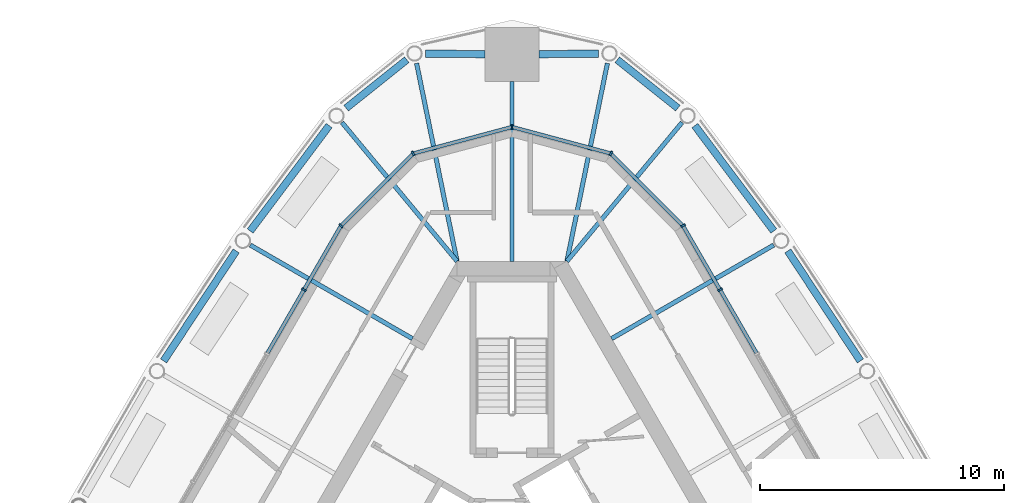
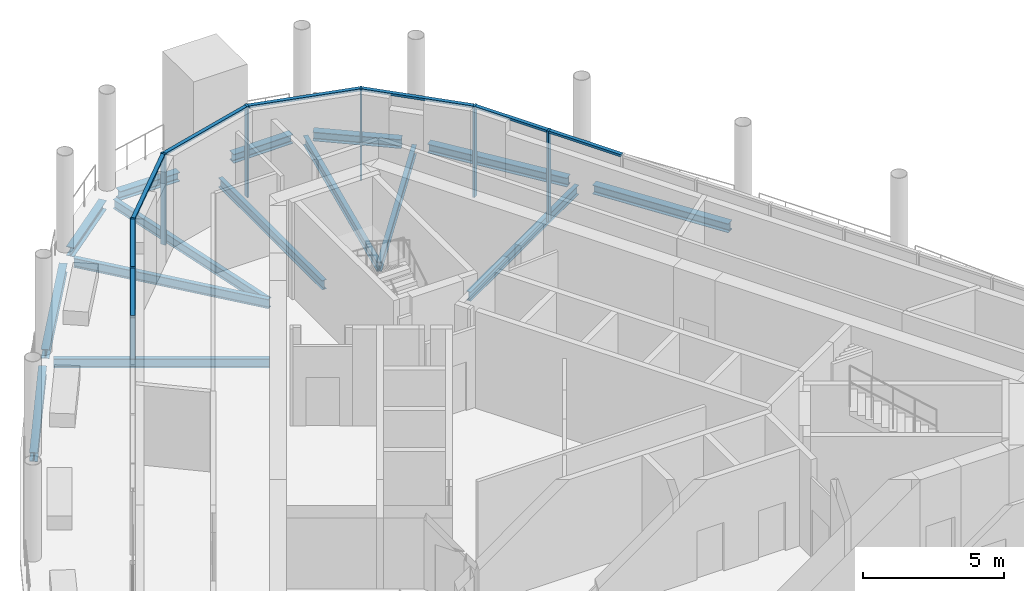
# One storey, part 4 of 15: 15 beams, 15 members, 3 elements without a shape of their own.
"""IFC4 building model written with IfcOpenShell, lengths in metres."""

from ifc_helpers import new_model, si_unit, direction, frame, origin, origin_2d, place, context, subcontext, project, spatial, rectangle, i_section, extrude, material, material_profile, profile_set, type_object, element, aggregate, save


model = new_model("IFC4")

# Units and contexts
model_context = context("Model", 3, precision=1e-05, world=origin(), true_north=direction((0.0, 1.0)))
body_context = subcontext(model_context, "Body", "Model", "MODEL_VIEW")
ifc_project = project(units=[si_unit("LENGTHUNIT", "METRE"), si_unit("AREAUNIT", "SQUARE_METRE"), si_unit("VOLUMEUNIT", "CUBIC_METRE"), si_unit("PLANEANGLEUNIT", "RADIAN"), si_unit("MASSUNIT", "GRAM", prefix="KILO")], contexts=[model_context])

# Site, building, storey
site_placement = place(None, origin())
site = spatial("IfcSite", under=ifc_project, at=site_placement, CompositionType="ELEMENT")
building_placement = place(site_placement, origin())
building = spatial("IfcBuilding", under=site, at=building_placement, Name="Mestral Congress Tower", CompositionType="ELEMENT")
storey_placement = place(building_placement, frame((0.0, 0.0, 327.60009765625)))
storey = spatial("IfcBuildingStorey", under=building, at=storey_placement, Name="L76", CompositionType="ELEMENT", Elevation=327.60009765625)

# Curtain wall, members
ifc_material_1 = material(Name="Glazed ceramic", Category="masonry")
curtain_wall_type = type_object("IfcCurtainWallType", Name="Facade plant louvre screen", PredefinedType="USERDEFINED", material=ifc_material_1)
placement = place(storey_placement, origin())
curtain_wall_1 = element("IfcCurtainWall", 1, at=placement, inside=storey, type_object=curtain_wall_type, Name="Plant louvre screen side 2", ObjectType="CURTAIN WALL", PredefinedType="USERDEFINED")
ifc_material_2 = material(Name="Anodised aluminium", Category="aluminium")
ifc_material_profile_1 = material_profile(ifc_material_2, rectangle(XDim=0.199951171875, YDim=0.080078125, at=origin_2d()), Name="CW6 mullion 200 x 80")
ifc_profile_set_1 = profile_set([ifc_material_profile_1], Name="Anodised aluminium")
member_type_1 = type_object("IfcMemberType", Name="Facade plant louvre screen mullion", PredefinedType="MULLION", material=ifc_profile_set_1)
member_1_placement = place(storey_placement, frame((8.525390625, 15.43359375, 0.0), z_axis=(0.0, 0.0, 1.0), x_axis=(0.866024531118, 0.500001511499, 0.0)))
member_1 = element("IfcMember", 2, at=member_1_placement, type_object=member_type_1, Name="Facade plant louvre screen mullion", PredefinedType="MULLION", context=body_context, shape_type="SweptSolid", body=[
    extrude(rectangle(XDim=0.199951171875, YDim=0.080078125, at=origin_2d()), origin(), (0.0, 0.0, 1.0), 3.949951171875),
])
member_2_placement = place(storey_placement, frame((7.00830078125, 18.061279296875, 0.0), z_axis=(0.0, 0.0, 1.0), x_axis=(0.866024531118, 0.500001511499, 0.0)))
member_2 = element("IfcMember", 3, at=member_2_placement, type_object=member_type_1, Name="Facade plant louvre screen mullion", PredefinedType="MULLION", context=body_context, shape_type="SweptSolid", body=[
    extrude(rectangle(XDim=0.199951171875, YDim=0.080078125, at=origin_2d()), origin(), (0.0, 0.0, 1.0), 3.949951171875),
])

curtain_wall_2 = element("IfcCurtainWall", 4, at=placement, inside=storey, type_object=curtain_wall_type, Name="Plant louvre screen corner 3", ObjectType="CURTAIN WALL", PredefinedType="USERDEFINED")
member_3_placement = place(storey_placement, frame((4.0517578125, 21.017822265625, 0.0), z_axis=(0.0, 0.0, 1.0), x_axis=(0.5, 0.866025403784, 0.0)))
member_3 = element("IfcMember", 5, at=member_3_placement, type_object=member_type_1, Name="Facade plant louvre screen mullion", PredefinedType="MULLION", context=body_context, shape_type="SweptSolid", body=[
    extrude(rectangle(XDim=0.199951171875, YDim=0.080078125, at=origin_2d()), origin(), (0.0, 0.0, 1.0), 3.949951171875),
])
member_4_placement = place(storey_placement, frame((0.0, 22.103515625, 0.0), z_axis=(0.0, 0.0, 1.0), x_axis=(0.0, 1.0, 0.0)))
member_4 = element("IfcMember", 6, at=member_4_placement, type_object=member_type_1, Name="Facade plant louvre screen mullion", PredefinedType="MULLION", context=body_context, shape_type="SweptSolid", body=[
    extrude(rectangle(XDim=0.199951171875, YDim=0.080078125, at=origin_2d()), origin(), (0.0, 0.0, 1.0), 3.949951171875),
])
member_5_placement = place(storey_placement, frame((-4.0517578125, 21.017822265625, 0.0), z_axis=(0.0, 0.0, 1.0), x_axis=(-0.5, 0.866025403784, 0.0)))
member_5 = element("IfcMember", 7, at=member_5_placement, type_object=member_type_1, Name="Facade plant louvre screen mullion", PredefinedType="MULLION", context=body_context, shape_type="SweptSolid", body=[
    extrude(rectangle(XDim=0.199951171875, YDim=0.080078125, at=origin_2d()), origin(), (0.0, 0.0, 1.0), 3.949951171875),
])
member_6_placement = place(storey_placement, frame((-7.00830078125, 18.061279296875, 0.0), z_axis=(0.0, 0.0, 1.0), x_axis=(-0.707106781187, 0.707106781187, 0.0)))
member_6 = element("IfcMember", 8, at=member_6_placement, type_object=member_type_1, Name="Facade plant louvre screen mullion", PredefinedType="MULLION", context=body_context, shape_type="SweptSolid", body=[
    extrude(rectangle(XDim=0.199951171875, YDim=0.080078125, at=origin_2d()), origin(), (0.0, 0.0, 1.0), 3.949951171875),
])

# Curtain wall, member
curtain_wall_3 = element("IfcCurtainWall", 9, at=placement, inside=storey, type_object=curtain_wall_type, Name="Plant louvre screen side 4", ObjectType="CURTAIN WALL", PredefinedType="USERDEFINED")
member_7_placement = place(storey_placement, frame((-8.525390625, 15.43359375, 0.0), z_axis=(0.0, 0.0, 1.0), x_axis=(-0.866024531118, 0.500001511499, 0.0)))
member_7 = element("IfcMember", 10, at=member_7_placement, type_object=member_type_1, Name="Facade plant louvre screen mullion", PredefinedType="MULLION", context=body_context, shape_type="SweptSolid", body=[
    extrude(rectangle(XDim=0.199951171875, YDim=0.080078125, at=origin_2d()), origin(), (0.0, 0.0, 1.0), 3.949951171875),
])

# Member
ifc_material_profile_2 = material_profile(ifc_material_2, rectangle(XDim=0.14990234375, YDim=0.10009765625, at=origin_2d()), Name="CW6 transom 150 x 100")
ifc_profile_set_2 = profile_set([ifc_material_profile_2], Name="Anodised aluminium")
member_type_2 = type_object("IfcMemberType", Name="Facade plant louvre screen transom", PredefinedType="USERDEFINED", material=ifc_profile_set_2)
member_8_placement = place(storey_placement, frame((10.022705078125, 12.84033203125, 3.89990234375), z_axis=(-0.50002288008, 0.866012193561, 0.0), x_axis=(-0.866012193561, -0.50002288008, 0.0)))
member_8 = element("IfcMember", 11, at=member_8_placement, type_object=member_type_2, Name="Facade plant louvre screen transom", ObjectType="TRANSOM", PredefinedType="USERDEFINED", context=body_context, shape_type="SweptSolid", body=[
    extrude(rectangle(XDim=0.14990234375, YDim=0.10009765625, at=origin_2d()), origin(), (0.0, 0.0, 1.0), 2.954345703125),
])

member_9_placement = place(storey_placement, frame((8.50537109375, 15.46826171875, 3.89990234375), z_axis=(-0.499960902066, 0.86604797581, 0.0), x_axis=(-0.86604797581, -0.499960902066, 0.0)))
member_9 = element("IfcMember", 12, at=member_9_placement, type_object=member_type_2, Name="Facade plant louvre screen transom", ObjectType="TRANSOM", PredefinedType="USERDEFINED", context=body_context, shape_type="SweptSolid", body=[
    extrude(rectangle(XDim=0.14990234375, YDim=0.10009765625, at=origin_2d()), origin(), (0.0, 0.0, 1.0), 2.954345703125),
])

aggregate(curtain_wall_1, [member_1, member_2, member_8, member_9])

member_10_placement = place(storey_placement, frame((6.97998046875, 18.089599609375, 3.89990234375), z_axis=(-0.707106781187, 0.707106781187, 0.0), x_axis=(-0.707106781187, -0.707106781187, 0.0)))
member_10 = element("IfcMember", 13, at=member_10_placement, type_object=member_type_2, Name="Facade plant louvre screen transom", ObjectType="TRANSOM", PredefinedType="USERDEFINED", context=body_context, shape_type="SweptSolid", body=[
    extrude(rectangle(XDim=0.14990234375, YDim=0.10009765625, at=origin_2d()), origin(), (0.0, 0.0, 1.0), 4.10107421875),
])

member_11_placement = place(storey_placement, frame((4.01318359375, 21.0283203125, 3.89990234375), z_axis=(-0.965928983476, 0.258807262034, 0.0), x_axis=(-0.258807262034, -0.965928983476, 0.0)))
member_11 = element("IfcMember", 14, at=member_11_placement, type_object=member_type_2, Name="Facade plant louvre screen transom", ObjectType="TRANSOM", PredefinedType="USERDEFINED", context=body_context, shape_type="SweptSolid", body=[
    extrude(rectangle(XDim=0.14990234375, YDim=0.10009765625, at=origin_2d()), origin(), (0.0, 0.0, 1.0), 4.11474609375),
])

member_12_placement = place(storey_placement, frame((-0.03857421875, 22.09326171875, 3.89990234375), z_axis=(-0.965928983476, -0.258807262034, 0.0), x_axis=(0.258807262034, -0.965928983476, 0.0)))
member_12 = element("IfcMember", 15, at=member_12_placement, type_object=member_type_2, Name="Facade plant louvre screen transom", ObjectType="TRANSOM", PredefinedType="USERDEFINED", context=body_context, shape_type="SweptSolid", body=[
    extrude(rectangle(XDim=0.14990234375, YDim=0.10009765625, at=origin_2d()), origin(), (0.0, 0.0, 1.0), 4.11474609375),
])

member_13_placement = place(storey_placement, frame((-4.080078125, 20.989501953125, 3.89990234375), z_axis=(-0.707106781187, -0.707106781187, 0.0), x_axis=(0.707106781187, -0.707106781187, 0.0)))
member_13 = element("IfcMember", 16, at=member_13_placement, type_object=member_type_2, Name="Facade plant louvre screen transom", ObjectType="TRANSOM", PredefinedType="USERDEFINED", context=body_context, shape_type="SweptSolid", body=[
    extrude(rectangle(XDim=0.14990234375, YDim=0.10009765625, at=origin_2d()), origin(), (0.0, 0.0, 1.0), 4.10107421875),
])

aggregate(curtain_wall_2, [member_3, member_4, member_5, member_6, member_10, member_11, member_12, member_13])

member_14_placement = place(storey_placement, frame((-7.0283203125, 18.02685546875, 3.89990234375), z_axis=(-0.499960902066, -0.86604797581, 0.0), x_axis=(0.86604797581, -0.499960902066, 0.0)))
member_14 = element("IfcMember", 17, at=member_14_placement, type_object=member_type_2, Name="Facade plant louvre screen transom", ObjectType="TRANSOM", PredefinedType="USERDEFINED", context=body_context, shape_type="SweptSolid", body=[
    extrude(rectangle(XDim=0.14990234375, YDim=0.10009765625, at=origin_2d()), origin(), (0.0, 0.0, 1.0), 2.954345703125),
])

member_15_placement = place(storey_placement, frame((-8.54541015625, 15.39892578125, 3.89990234375), z_axis=(-0.50002288008, -0.866012193561, 0.0), x_axis=(0.866012193561, -0.50002288008, 0.0)))
member_15 = element("IfcMember", 18, at=member_15_placement, type_object=member_type_2, Name="Facade plant louvre screen transom", ObjectType="TRANSOM", PredefinedType="USERDEFINED", context=body_context, shape_type="SweptSolid", body=[
    extrude(rectangle(XDim=0.14990234375, YDim=0.10009765625, at=origin_2d()), origin(), (0.0, 0.0, 1.0), 2.954345703125),
])

aggregate(curtain_wall_3, [member_7, member_14, member_15])

# Beams
ifc_material_3 = material(Name="Steel S355", Category="steel")
ifc_material_profile_3 = material_profile(ifc_material_3, i_section(OverallWidth=0.179931640625, OverallDepth=0.39990234375, WebThickness=0.008544921875, FlangeThickness=0.013427734375, FilletRadius=0.02099609375, at=origin_2d()), Name="IPE 400")
ifc_profile_set_3 = profile_set([ifc_material_profile_3], Name="Steel S355")
beam_type_1 = type_object("IfcBeamType", Name="Floor beam IPE 400 S355", PredefinedType="BEAM", material=ifc_profile_set_3)
beam_1_placement = place(storey_placement, frame((10.7275390625, 17.263916015625, -0.5), z_axis=(-0.866019720907, -0.500009842903, 0.0), x_axis=(0.500009842903, -0.866019720907, 0.0)))
element("IfcBeam", 19, at=beam_1_placement, inside=storey, type_object=beam_type_1, Name="BM-L76-RB5-E04", PredefinedType="BEAM", context=body_context, shape_type="SweptSolid", body=[
    extrude(i_section(OverallWidth=0.179931640625, OverallDepth=0.39990234375, WebThickness=0.008544921875, FlangeThickness=0.013427734375, FilletRadius=0.02099609375, at=origin_2d()), origin(), (0.0, 0.0, 1.0), 7.672119140625),
])
beam_2_placement = place(storey_placement, frame((6.969970703125, 22.2890625, -0.5), z_axis=(-0.638382651591, -0.769719163168, 0.0), x_axis=(0.769719163168, -0.638382651591, 0.0)))
element("IfcBeam", 20, at=beam_2_placement, inside=storey, type_object=beam_type_1, Name="BM-L76-RB5-E05", PredefinedType="BEAM", context=body_context, shape_type="SweptSolid", body=[
    extrude(i_section(OverallWidth=0.179931640625, OverallDepth=0.39990234375, WebThickness=0.008544921875, FlangeThickness=0.013427734375, FilletRadius=0.02099609375, at=origin_2d()), origin(), (0.0, 0.0, 1.0), 7.390869140625),
])
beam_3_placement = place(storey_placement, frame((3.910888671875, 24.7119140625, -0.5), z_axis=(-0.200389803804, -0.979716247967, 0.0), x_axis=(0.979716247967, -0.200389803804, 0.0)))
element("IfcBeam", 21, at=beam_3_placement, inside=storey, type_object=beam_type_1, Name="BM-L76-RB5-N1", PredefinedType="BEAM", context=body_context, shape_type="SweptSolid", body=[
    extrude(i_section(OverallWidth=0.179931640625, OverallDepth=0.39990234375, WebThickness=0.008544921875, FlangeThickness=0.013427734375, FilletRadius=0.02099609375, at=origin_2d()), origin(), (0.0, 0.0, 1.0), 8.27978515625),
])
beam_4_placement = place(storey_placement, frame((0.0, 23.97802734375, -0.5), z_axis=(0.0, -1.0, 0.0), x_axis=(1.0, 0.0, 0.0)))
element("IfcBeam", 22, at=beam_4_placement, inside=storey, type_object=beam_type_1, Name="BM-L76-RB5-N", PredefinedType="BEAM", context=body_context, shape_type="SweptSolid", body=[
    extrude(i_section(OverallWidth=0.179931640625, OverallDepth=0.39990234375, WebThickness=0.008544921875, FlangeThickness=0.013427734375, FilletRadius=0.02099609375, at=origin_2d()), origin(), (0.0, 0.0, 1.0), 7.3779296875),
])
beam_5_placement = place(storey_placement, frame((-3.910888671875, 24.7119140625, -0.5), z_axis=(0.200389803804, -0.979716247967, 0.0), x_axis=(0.979716247967, 0.200389803804, 0.0)))
element("IfcBeam", 23, at=beam_5_placement, inside=storey, type_object=beam_type_1, Name="BM-L76-RB5-N3", PredefinedType="BEAM", context=body_context, shape_type="SweptSolid", body=[
    extrude(i_section(OverallWidth=0.179931640625, OverallDepth=0.39990234375, WebThickness=0.008544921875, FlangeThickness=0.013427734375, FilletRadius=0.02099609375, at=origin_2d()), origin(), (0.0, 0.0, 1.0), 8.27978515625),
])
beam_6_placement = place(storey_placement, frame((-6.969970703125, 22.2890625, -0.5), z_axis=(0.638382651591, -0.769719163168, 0.0), x_axis=(0.769719163168, 0.638382651591, 0.0)))
element("IfcBeam", 24, at=beam_6_placement, inside=storey, type_object=beam_type_1, Name="BM-L76-RB5-W00", PredefinedType="BEAM", context=body_context, shape_type="SweptSolid", body=[
    extrude(i_section(OverallWidth=0.179931640625, OverallDepth=0.39990234375, WebThickness=0.008544921875, FlangeThickness=0.013427734375, FilletRadius=0.02099609375, at=origin_2d()), origin(), (0.0, 0.0, 1.0), 7.390869140625),
])
beam_7_placement = place(storey_placement, frame((-10.7275390625, 17.263916015625, -0.5), z_axis=(0.866019720907, -0.500009842903, 0.0), x_axis=(0.500009842903, 0.866019720907, 0.0)))
element("IfcBeam", 25, at=beam_7_placement, inside=storey, type_object=beam_type_1, Name="BM-L76-RB5-W01", PredefinedType="BEAM", context=body_context, shape_type="SweptSolid", body=[
    extrude(i_section(OverallWidth=0.179931640625, OverallDepth=0.39990234375, WebThickness=0.008544921875, FlangeThickness=0.013427734375, FilletRadius=0.02099609375, at=origin_2d()), origin(), (0.0, 0.0, 1.0), 7.672119140625),
])
ifc_material_profile_4 = material_profile(ifc_material_3, i_section(OverallWidth=0.300048828125, OverallDepth=0.389892578125, WebThickness=0.010986328125, FlangeThickness=0.01904296875, FilletRadius=0.027099609375, at=origin_2d()), Name="HEA 400")
ifc_profile_set_4 = profile_set([ifc_material_profile_4], Name="Steel S355")
beam_type_2 = type_object("IfcBeamType", Name="Spandrel beam HEA 400 S355", PredefinedType="BEAM", material=ifc_profile_set_4)
beam_8_placement = place(storey_placement, frame((14.280517578125, 12.51611328125, -0.4951171875), z_axis=(-0.550748957655, 0.83467094453, 0.0), x_axis=(-0.83467094453, -0.550748957655, 0.0)))
element("IfcBeam", 26, at=beam_8_placement, inside=storey, type_object=beam_type_2, Name="SP-L76-SB5-E03", PredefinedType="BEAM", context=body_context, shape_type="SweptSolid", body=[
    extrude(i_section(OverallWidth=0.300048828125, OverallDepth=0.389892578125, WebThickness=0.010986328125, FlangeThickness=0.01904296875, FilletRadius=0.027099609375, at=origin_2d()), origin(), (0.0, 0.0, 1.0), 5.3984375),
])
beam_9_placement = place(storey_placement, frame((10.73193359375, 17.83984375, -0.4951171875), z_axis=(-0.599529393236, 0.800352738888, 0.0), x_axis=(-0.800352738888, -0.599529393236, 0.0)))
element("IfcBeam", 27, at=beam_9_placement, inside=storey, type_object=beam_type_2, Name="SP-L76-SB5-E04", PredefinedType="BEAM", context=body_context, shape_type="SweptSolid", body=[
    extrude(i_section(OverallWidth=0.300048828125, OverallDepth=0.389892578125, WebThickness=0.010986328125, FlangeThickness=0.01904296875, FilletRadius=0.027099609375, at=origin_2d()), origin(), (0.0, 0.0, 1.0), 5.396484375),
])
beam_10_placement = place(storey_placement, frame((6.7998046875, 22.876708984375, -0.4951171875), z_axis=(-0.781647188603, 0.623720829016, 0.0), x_axis=(-0.623720829016, -0.781647188603, 0.0)))
element("IfcBeam", 28, at=beam_10_placement, inside=storey, type_object=beam_type_2, Name="SP-L76-SB5-E05", PredefinedType="BEAM", context=body_context, shape_type="SweptSolid", body=[
    extrude(i_section(OverallWidth=0.300048828125, OverallDepth=0.389892578125, WebThickness=0.010986328125, FlangeThickness=0.01904296875, FilletRadius=0.027099609375, at=origin_2d()), origin(), (0.0, 0.0, 1.0), 3.179931640625),
])
for number, where, z_axis, x_axis, name in (
    (29, (3.54736328125, 25.11181640625, -0.4951171875), (-0.999955093848, -0.009476829002, 0.0), (0.009476829002, -0.999955093848, 0.0), "SP-L76-SB5-N1"),
    (30, (-1.10009765625, 25.088623046875, -0.4951171875), (-0.999955093848, 0.009476829002, 0.0), (-0.009476829002, -0.999955093848, 0.0), "SP-L76-SB5-N"),
):
    element("IfcBeam", number, at=place(storey_placement, frame(where, z_axis=z_axis, x_axis=x_axis)), inside=storey, type_object=beam_type_2, Name=name, PredefinedType="BEAM", context=body_context, shape_type="SweptSolid", body=[
        extrude(i_section(OverallWidth=0.300048828125, OverallDepth=0.389892578125, WebThickness=0.010986328125, FlangeThickness=0.01904296875, FilletRadius=0.027099609375, at=origin_2d()), origin(), (0.0, 0.0, 1.0), 2.447265625),
    ])
beam_11_placement = place(storey_placement, frame((-4.314208984375, 24.860107421875, -0.4951171875), z_axis=(-0.781647188603, -0.623720829016, 0.0), x_axis=(0.623720829016, -0.781647188603, 0.0)))
element("IfcBeam", 31, at=beam_11_placement, inside=storey, type_object=beam_type_2, Name="SP-L76-SB5-N3", PredefinedType="BEAM", context=body_context, shape_type="SweptSolid", body=[
    extrude(i_section(OverallWidth=0.300048828125, OverallDepth=0.389892578125, WebThickness=0.010986328125, FlangeThickness=0.01904296875, FilletRadius=0.027099609375, at=origin_2d()), origin(), (0.0, 0.0, 1.0), 3.179931640625),
])
beam_12_placement = place(storey_placement, frame((-7.49658203125, 22.158935546875, -0.4951171875), z_axis=(-0.599529393236, -0.800352738888, 0.0), x_axis=(0.800352738888, -0.599529393236, 0.0)))
element("IfcBeam", 32, at=beam_12_placement, inside=storey, type_object=beam_type_2, Name="SP-L76-SB5-W00", PredefinedType="BEAM", context=body_context, shape_type="SweptSolid", body=[
    extrude(i_section(OverallWidth=0.300048828125, OverallDepth=0.389892578125, WebThickness=0.010986328125, FlangeThickness=0.01904296875, FilletRadius=0.027099609375, at=origin_2d()), origin(), (0.0, 0.0, 1.0), 5.396484375),
])
beam_13_placement = place(storey_placement, frame((-11.307373046875, 17.02197265625, -0.4951171875), z_axis=(-0.550748957655, -0.83467094453, 0.0), x_axis=(0.83467094453, -0.550748957655, 0.0)))
element("IfcBeam", 33, at=beam_13_placement, inside=storey, type_object=beam_type_2, Name="SP-L76-SB5-W01", PredefinedType="BEAM", context=body_context, shape_type="SweptSolid", body=[
    extrude(i_section(OverallWidth=0.300048828125, OverallDepth=0.389892578125, WebThickness=0.010986328125, FlangeThickness=0.01904296875, FilletRadius=0.027099609375, at=origin_2d()), origin(), (0.0, 0.0, 1.0), 5.3984375),
])

save(model, "model.ifc")
